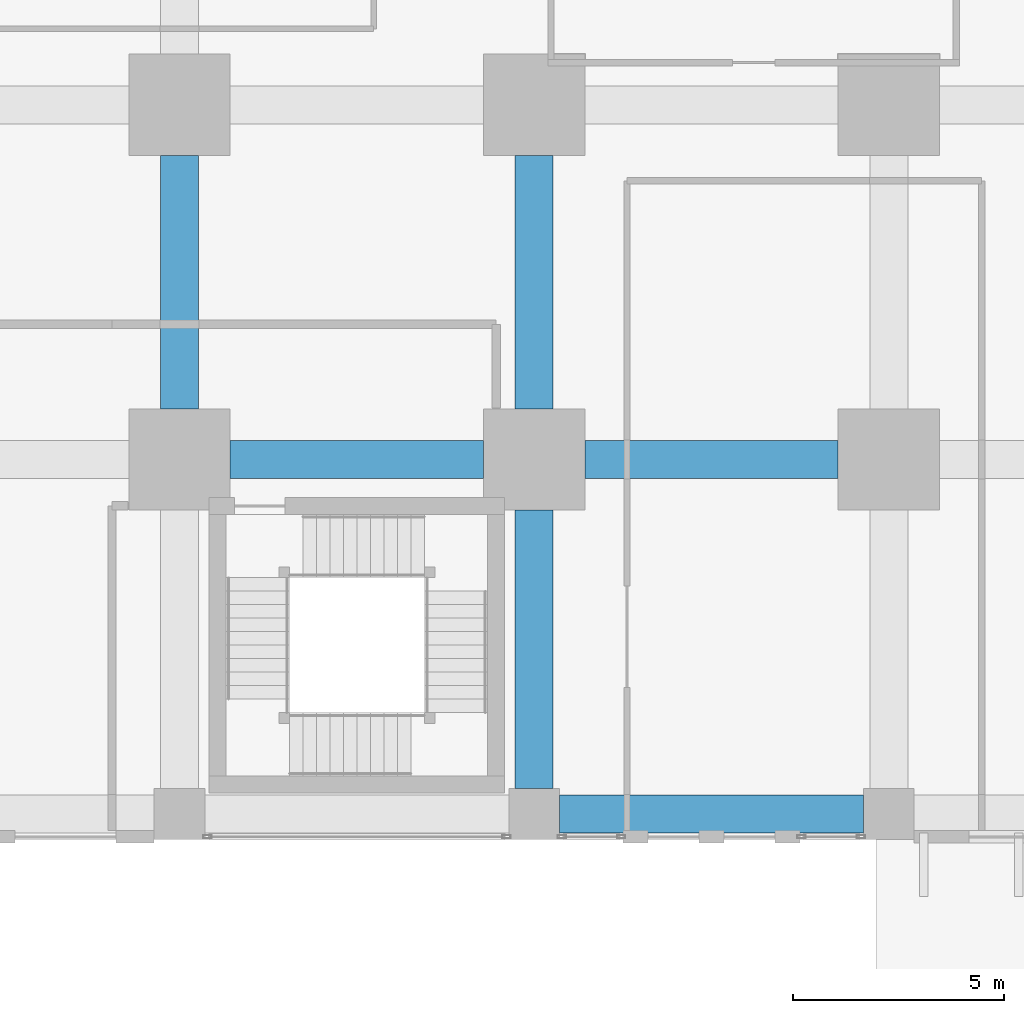
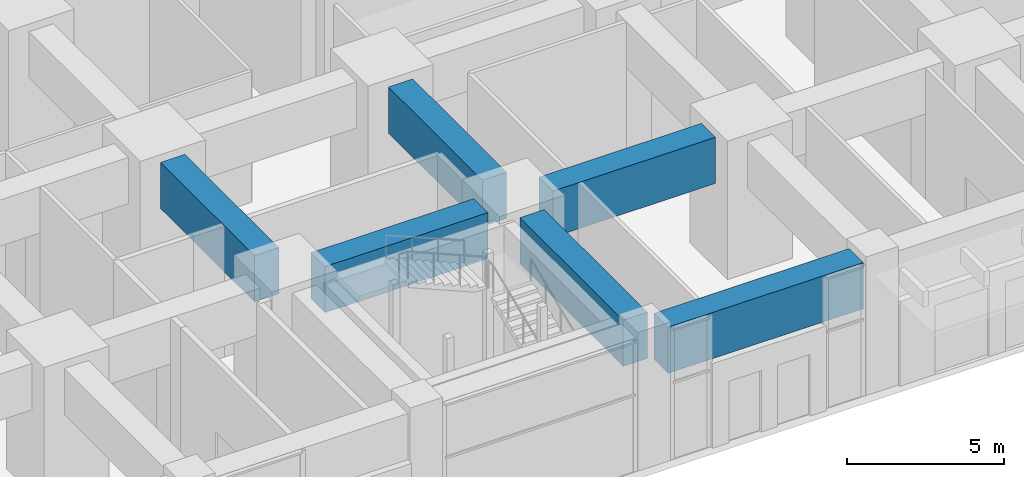
# One storey, part 8 of 81: 6 beams.
"""IFC4 building model written with IfcOpenShell, lengths in metres."""

from ifc_helpers import new_model, si_unit, direction, frame, origin, origin_2d, place, context, subcontext, project, spatial, rectangle, extrude, material, material_profile, profile_set, type_object, element, save


model = new_model("IFC4")

# Units and contexts
model_context = context("Model", 3, precision=1e-05, world=origin(), true_north=direction((0.0, 1.0)))
body_context = subcontext(model_context, "Body", "Model", "MODEL_VIEW")
ifc_project = project(units=[si_unit("LENGTHUNIT", "METRE"), si_unit("AREAUNIT", "SQUARE_METRE"), si_unit("VOLUMEUNIT", "CUBIC_METRE"), si_unit("PLANEANGLEUNIT", "RADIAN"), si_unit("MASSUNIT", "GRAM", prefix="KILO")], contexts=[model_context])

# Site, building, storey
site_placement = place(None, origin())
site = spatial("IfcSite", under=ifc_project, at=site_placement, CompositionType="ELEMENT")
building_placement = place(site_placement, origin())
building = spatial("IfcBuilding", under=site, at=building_placement, Name="Rekha Terrace Tower", CompositionType="ELEMENT")
storey_placement = place(building_placement, origin())
storey = spatial("IfcBuildingStorey", under=building, at=storey_placement, Name="L00", CompositionType="ELEMENT", Elevation=0.0)

# Beams
ifc_material = material(Name="Concrete M60", Category="concrete")
ifc_material_profile = material_profile(ifc_material, rectangle(XDim=0.89990234375, YDim=1.800048828125, at=origin_2d()), Name="RC 900x1800")
ifc_profile_set = profile_set([ifc_material_profile], Name="Concrete M60")
beam_type = type_object("IfcBeamType", Name="G1 900x1800 podium floor beam", PredefinedType="BEAM", material=ifc_profile_set)
for number, where, z_axis, x_axis, name in (
    (1, (18.0, 8.39990234375, 4.199951171875), (1.0, 0.0, 0.0), (0.0, 1.0, 0.0), "Beam G1 3B-4B under L01"),
    (2, (16.800048828125, 9.60009765625, 4.199951171875), (0.0, 1.0, 0.0), (-1.0, 0.0, 0.0), "Beam G1 3B-3C under L01"),
):
    element("IfcBeam", number, at=place(storey_placement, frame(where, z_axis=z_axis, x_axis=x_axis)), inside=storey, type_object=beam_type, Name=name, PredefinedType="BEAM", context=body_context, shape_type="SweptSolid", body=[
        extrude(rectangle(XDim=0.89990234375, YDim=1.800048828125, at=origin_2d()), origin(), (0.0, 0.0, 1.0), 6.0),
    ])
beam_1_placement = place(storey_placement, frame((25.800048828125, 0.0, 4.199951171875), z_axis=(1.0, 0.0, 0.0), x_axis=(0.0, 1.0, 0.0)))
element("IfcBeam", 3, at=beam_1_placement, inside=storey, type_object=beam_type, Name="Beam G1 4A-5A under L01", PredefinedType="BEAM", context=body_context, shape_type="SweptSolid", body=[
    extrude(rectangle(XDim=0.89990234375, YDim=1.800048828125, at=origin_2d()), origin(), (0.0, 0.0, 1.0), 7.199951171875),
])
beam_2_placement = place(storey_placement, frame((25.199951171875, 0.60009765625, 4.199951171875), z_axis=(0.0, 1.0, 0.0), x_axis=(-1.0, 0.0, 0.0)))
element("IfcBeam", 4, at=beam_2_placement, inside=storey, type_object=beam_type, Name="Beam G1 4A-4B under L01", PredefinedType="BEAM", context=body_context, shape_type="SweptSolid", body=[
    extrude(rectangle(XDim=0.89990234375, YDim=1.800048828125, at=origin_2d()), origin(), (0.0, 0.0, 1.0), 6.599853515625),
])
for number, where, z_axis, x_axis, name in (
    (5, (26.39990234375, 8.39990234375, 4.199951171875), (1.0, 0.0, 0.0), (0.0, 1.0, 0.0), "Beam G1 4B-5B under L01"),
    (6, (25.199951171875, 9.60009765625, 4.199951171875), (0.0, 1.0, 0.0), (-1.0, 0.0, 0.0), "Beam G1 4B-4C under L01"),
):
    element("IfcBeam", number, at=place(storey_placement, frame(where, z_axis=z_axis, x_axis=x_axis)), inside=storey, type_object=beam_type, Name=name, PredefinedType="BEAM", context=body_context, shape_type="SweptSolid", body=[
        extrude(rectangle(XDim=0.89990234375, YDim=1.800048828125, at=origin_2d()), origin(), (0.0, 0.0, 1.0), 6.0),
    ])

save(model, "model.ifc")
